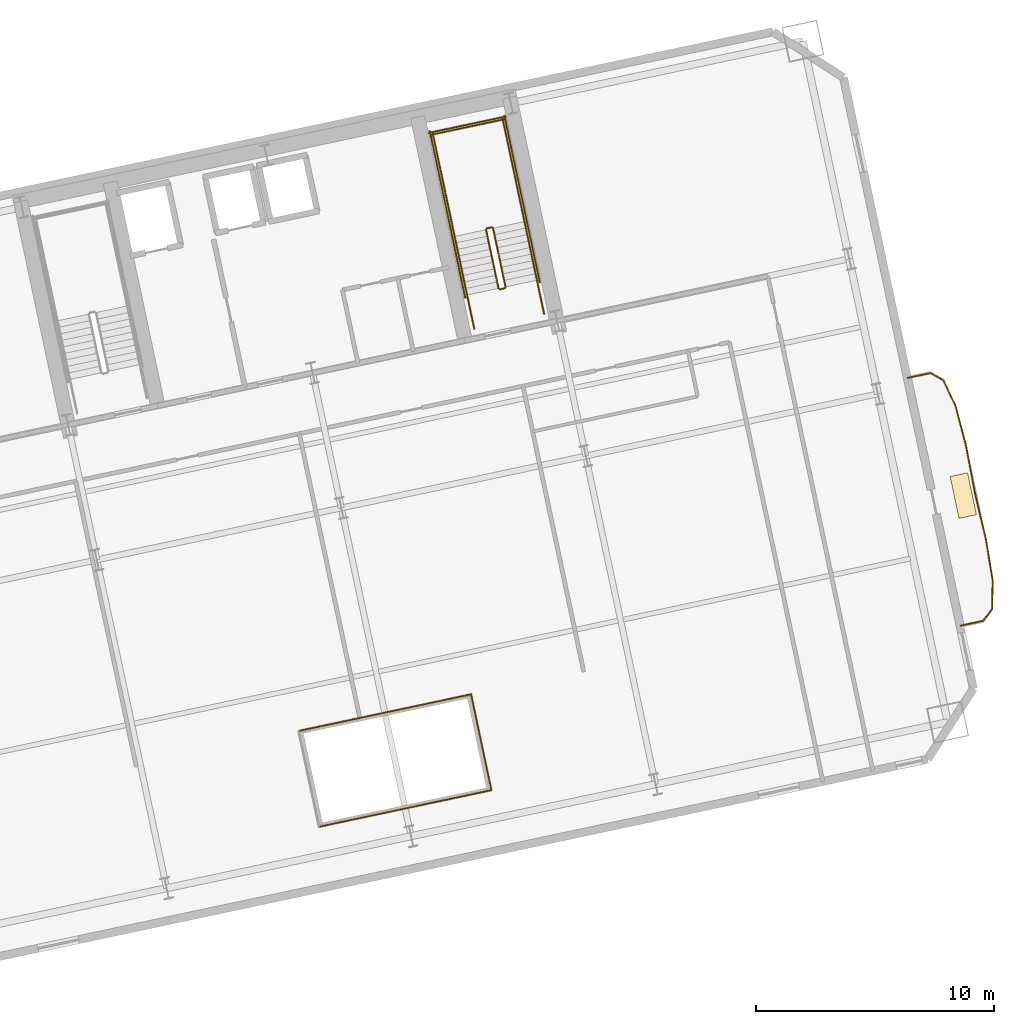
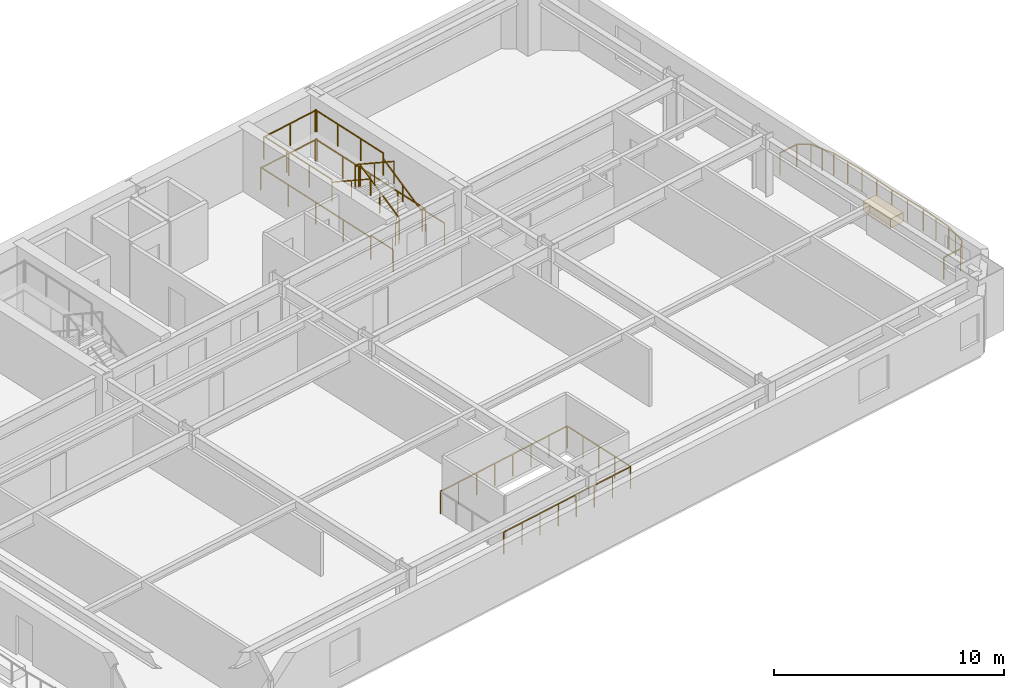
# One storey, part 15 of 15: 27 railings, 1 covering.
"""IFC4 building model written with IfcOpenShell, lengths in metres."""

from ifc_helpers import new_model, si_unit, direction, frame, origin, origin_2d, place, context, subcontext, project, spatial, rectangle, extrude, material, layer, layer_set, type_object, element, save


model = new_model("IFC4")

# Units and contexts
model_context = context("Model", 3, precision=1e-05, world=origin(), true_north=direction((0.0, 1.0)))
body_context = subcontext(model_context, "Body", "Model", "MODEL_VIEW")
ifc_project = project(units=[si_unit("LENGTHUNIT", "METRE"), si_unit("AREAUNIT", "SQUARE_METRE"), si_unit("VOLUMEUNIT", "CUBIC_METRE"), si_unit("PLANEANGLEUNIT", "RADIAN"), si_unit("MASSUNIT", "GRAM", prefix="KILO")], contexts=[model_context])

# Site, building, storey
site_placement = place(None, origin())
site = spatial("IfcSite", under=ifc_project, at=site_placement, CompositionType="ELEMENT")
building_placement = place(site_placement, origin())
building = spatial("IfcBuilding", under=site, at=building_placement, Name="Haevon Station Towers", CompositionType="ELEMENT")
storey_placement = place(building_placement, frame((0.0, 0.0, 63.60009765625)))
storey = spatial("IfcBuildingStorey", under=building, at=storey_placement, Name="L16", CompositionType="ELEMENT", Elevation=63.60009765625)

# Railings
ifc_material_1 = material(Name="Steel S355", Category="steel")
railing_type_1 = type_object("IfcRailingType", Name="BAL-ATR1200", PredefinedType="BALUSTRADE", material=ifc_material_1)
railing_1_placement = place(storey_placement, frame((109.28857421875, 20.5556640625, 0.0)))
element("IfcRailing", 1, at=railing_1_placement, inside=storey, type_object=railing_type_1, Name="L16 Atrium Void Balustrade 1", PredefinedType="BALUSTRADE", context=body_context, shape_type="SweptSolid", body=[
    extrude(rectangle(XDim=0.048095703125, YDim=0.048095703125, at=origin_2d()), frame((0.0, 0.0, 1.17578125), z_axis=(0.978143440909, 0.207931260293, 0.0), x_axis=(-0.207931260293, 0.978143440909, 0.0)), (0.0, 0.0, 1.0), 7.409912109375),
    extrude(rectangle(XDim=0.0419921875, YDim=0.0419921875, at=origin_2d()), origin(), (0.0, 0.0, 1.0), 1.15185546875),
    extrude(rectangle(XDim=0.0419921875, YDim=0.0419921875, at=origin_2d()), frame((1.035400390625, 0.22021484375, 0.0)), (0.0, 0.0, 1.0), 1.15185546875),
    extrude(rectangle(XDim=0.0419921875, YDim=0.0419921875, at=origin_2d()), frame((2.07080078125, 0.440185546875, 0.0)), (0.0, 0.0, 1.0), 1.15185546875),
    extrude(rectangle(XDim=0.0419921875, YDim=0.0419921875, at=origin_2d()), frame((3.106201171875, 0.660400390625, 0.0)), (0.0, 0.0, 1.0), 1.15185546875),
    extrude(rectangle(XDim=0.0419921875, YDim=0.0419921875, at=origin_2d()), frame((4.141845703125, 0.88037109375, 0.0)), (0.0, 0.0, 1.0), 1.15185546875),
    extrude(rectangle(XDim=0.0419921875, YDim=0.0419921875, at=origin_2d()), frame((5.17724609375, 1.1005859375, 0.0)), (0.0, 0.0, 1.0), 1.15185546875),
    extrude(rectangle(XDim=0.0419921875, YDim=0.0419921875, at=origin_2d()), frame((6.212646484375, 1.320556640625, 0.0)), (0.0, 0.0, 1.0), 1.15185546875),
    extrude(rectangle(XDim=0.0419921875, YDim=0.0419921875, at=origin_2d()), frame((7.248046875, 1.540771484375, 0.0)), (0.0, 0.0, 1.0), 1.15185546875),
])
railing_2_placement = place(storey_placement, frame((116.53662109375, 22.096435546875, 0.0)))
element("IfcRailing", 2, at=railing_2_placement, inside=storey, type_object=railing_type_1, Name="L16 Atrium Void Balustrade 2", PredefinedType="BALUSTRADE", context=body_context, shape_type="SweptSolid", body=[
    extrude(rectangle(XDim=0.048095703125, YDim=0.048095703125, at=origin_2d()), frame((0.0, 0.0, 1.17578125), z_axis=(-0.207941039024, 0.97814136212, 0.0), x_axis=(-0.97814136212, -0.207941039024, 0.0)), (0.0, 0.0, 1.0), 4.116455078125),
    extrude(rectangle(XDim=0.0419921875, YDim=0.0419921875, at=origin_2d()), origin(), (0.0, 0.0, 1.0), 1.15185546875),
    extrude(rectangle(XDim=0.0419921875, YDim=0.0419921875, at=origin_2d()), frame((-0.2138671875, 1.006591796875, 0.0)), (0.0, 0.0, 1.0), 1.15185546875),
    extrude(rectangle(XDim=0.0419921875, YDim=0.0419921875, at=origin_2d()), frame((-0.427978515625, 2.01318359375, 0.0)), (0.0, 0.0, 1.0), 1.15185546875),
    extrude(rectangle(XDim=0.0419921875, YDim=0.0419921875, at=origin_2d()), frame((-0.64208984375, 3.019775390625, 0.0)), (0.0, 0.0, 1.0), 1.15185546875),
    extrude(rectangle(XDim=0.0419921875, YDim=0.0419921875, at=origin_2d()), frame((-0.85595703125, 4.0263671875, 0.0)), (0.0, 0.0, 1.0), 1.15185546875),
])
railing_3_placement = place(storey_placement, frame((115.6806640625, 26.122802734375, 0.0)))
element("IfcRailing", 3, at=railing_3_placement, inside=storey, type_object=railing_type_1, Name="L16 Atrium Void Balustrade 3", PredefinedType="BALUSTRADE", context=body_context, shape_type="SweptSolid", body=[
    extrude(rectangle(XDim=0.048095703125, YDim=0.048095703125, at=origin_2d()), frame((0.0, 0.0, 1.17578125), z_axis=(-0.978148717371, -0.207906437384, 0.0), x_axis=(0.207906437384, -0.978148717371, 0.0)), (0.0, 0.0, 1.0), 7.40966796875),
    extrude(rectangle(XDim=0.0419921875, YDim=0.0419921875, at=origin_2d()), origin(), (0.0, 0.0, 1.0), 1.15185546875),
    extrude(rectangle(XDim=0.0419921875, YDim=0.0419921875, at=origin_2d()), frame((-1.035400390625, -0.219970703125, 0.0)), (0.0, 0.0, 1.0), 1.15185546875),
    extrude(rectangle(XDim=0.0419921875, YDim=0.0419921875, at=origin_2d()), frame((-2.07080078125, -0.440185546875, 0.0)), (0.0, 0.0, 1.0), 1.15185546875),
    extrude(rectangle(XDim=0.0419921875, YDim=0.0419921875, at=origin_2d()), frame((-3.106201171875, -0.66015625, 0.0)), (0.0, 0.0, 1.0), 1.15185546875),
    extrude(rectangle(XDim=0.0419921875, YDim=0.0419921875, at=origin_2d()), frame((-4.1416015625, -0.88037109375, 0.0)), (0.0, 0.0, 1.0), 1.15185546875),
    extrude(rectangle(XDim=0.0419921875, YDim=0.0419921875, at=origin_2d()), frame((-5.177001953125, -1.100341796875, 0.0)), (0.0, 0.0, 1.0), 1.15185546875),
    extrude(rectangle(XDim=0.0419921875, YDim=0.0419921875, at=origin_2d()), frame((-6.21240234375, -1.320556640625, 0.0)), (0.0, 0.0, 1.0), 1.15185546875),
    extrude(rectangle(XDim=0.0419921875, YDim=0.0419921875, at=origin_2d()), frame((-7.247802734375, -1.54052734375, 0.0)), (0.0, 0.0, 1.0), 1.15185546875),
])
railing_type_2 = type_object("IfcRailingType", Name="GRD-EXT1200", PredefinedType="GUARDRAIL", material=ifc_material_1)
railing_4_placement = place(storey_placement, frame((136.248779296875, 29.0068359375, 0.0)))
element("IfcRailing", 4, at=railing_4_placement, inside=storey, type_object=railing_type_2, Name="L16 Perimeter Guardrail 1", PredefinedType="GUARDRAIL", context=body_context, shape_type="SweptSolid", body=[
    extrude(rectangle(XDim=0.048095703125, YDim=0.048095703125, at=origin_2d()), frame((0.0, 0.0, 1.17578125), z_axis=(0.977706975704, 0.209973973767, 0.0), x_axis=(-0.209973973767, 0.977706975704, 0.0)), (0.0, 0.0, 1.0), 0.974365234375),
    extrude(rectangle(XDim=0.0419921875, YDim=0.0419921875, at=origin_2d()), origin(), (0.0, 0.0, 1.0), 1.15185546875),
    extrude(rectangle(XDim=0.0419921875, YDim=0.0419921875, at=origin_2d()), frame((0.95263671875, 0.20458984375, 0.0)), (0.0, 0.0, 1.0), 1.15185546875),
])
railing_5_placement = place(storey_placement, frame((137.201416015625, 29.21142578125, 0.0)))
element("IfcRailing", 5, at=railing_5_placement, inside=storey, type_object=railing_type_2, Name="L16 Perimeter Guardrail 2", PredefinedType="GUARDRAIL", context=body_context, shape_type="SweptSolid", body=[
    extrude(rectangle(XDim=0.048095703125, YDim=0.048095703125, at=origin_2d()), frame((0.0, 0.0, 1.17578125), z_axis=(0.597298351772, 0.802019126312, 0.0), x_axis=(-0.802019126312, 0.597298351772, 0.0)), (0.0, 0.0, 1.0), 0.62255859375),
    extrude(rectangle(XDim=0.0419921875, YDim=0.0419921875, at=origin_2d()), origin(), (0.0, 0.0, 1.0), 1.15185546875),
    extrude(rectangle(XDim=0.0419921875, YDim=0.0419921875, at=origin_2d()), frame((0.371826171875, 0.499267578125, 0.0)), (0.0, 0.0, 1.0), 1.15185546875),
])
railing_6_placement = place(storey_placement, frame((137.5732421875, 29.710693359375, 0.0)))
element("IfcRailing", 6, at=railing_6_placement, inside=storey, type_object=railing_type_2, Name="L16 Perimeter Guardrail 3", PredefinedType="GUARDRAIL", context=body_context, shape_type="SweptSolid", body=[
    extrude(rectangle(XDim=0.048095703125, YDim=0.048095703125, at=origin_2d()), frame((0.0, 0.0, 1.17578125), z_axis=(0.019910703659, 0.999801762291, 0.0), x_axis=(-0.999801762291, 0.019910703659, 0.0)), (0.0, 0.0, 1.0), 1.20166015625),
    extrude(rectangle(XDim=0.0419921875, YDim=0.0419921875, at=origin_2d()), origin(), (0.0, 0.0, 1.0), 1.15185546875),
    extrude(rectangle(XDim=0.0419921875, YDim=0.0419921875, at=origin_2d()), frame((0.011962890625, 0.6005859375, 0.0)), (0.0, 0.0, 1.0), 1.15185546875),
    extrude(rectangle(XDim=0.0419921875, YDim=0.0419921875, at=origin_2d()), frame((0.02392578125, 1.201416015625, 0.0)), (0.0, 0.0, 1.0), 1.15185546875),
])
railing_7_placement = place(storey_placement, frame((137.59716796875, 30.912109375, 0.0)))
element("IfcRailing", 7, at=railing_7_placement, inside=storey, type_object=railing_type_2, Name="L16 Perimeter Guardrail 4", PredefinedType="GUARDRAIL", context=body_context, shape_type="SweptSolid", body=[
    extrude(rectangle(XDim=0.048095703125, YDim=0.048095703125, at=origin_2d()), frame((0.0, 0.0, 1.17578125), z_axis=(-0.162251221579, 0.98674948244, 0.0), x_axis=(-0.98674948244, -0.162251221579, 0.0)), (0.0, 0.0, 1.0), 1.75146484375),
    extrude(rectangle(XDim=0.0419921875, YDim=0.0419921875, at=origin_2d()), origin(), (0.0, 0.0, 1.0), 1.15185546875),
    extrude(rectangle(XDim=0.0419921875, YDim=0.0419921875, at=origin_2d()), frame((-0.14208984375, 0.8642578125, 0.0)), (0.0, 0.0, 1.0), 1.15185546875),
    extrude(rectangle(XDim=0.0419921875, YDim=0.0419921875, at=origin_2d()), frame((-0.2841796875, 1.728271484375, 0.0)), (0.0, 0.0, 1.0), 1.15185546875),
])
railing_8_placement = place(storey_placement, frame((137.31298828125, 32.640380859375, 0.0)))
element("IfcRailing", 8, at=railing_8_placement, inside=storey, type_object=railing_type_2, Name="L16 Perimeter Guardrail 5", PredefinedType="GUARDRAIL", context=body_context, shape_type="SweptSolid", body=[
    extrude(rectangle(XDim=0.048095703125, YDim=0.048095703125, at=origin_2d()), frame((0.0, 0.0, 1.17578125), z_axis=(-0.231637114003, 0.972802265322, 0.0), x_axis=(-0.972802265322, -0.231637114003, 0.0)), (0.0, 0.0, 1.0), 1.989990234375),
    extrude(rectangle(XDim=0.0419921875, YDim=0.0419921875, at=origin_2d()), origin(), (0.0, 0.0, 1.0), 1.15185546875),
    extrude(rectangle(XDim=0.0419921875, YDim=0.0419921875, at=origin_2d()), frame((-0.23046875, 0.9677734375, 0.0)), (0.0, 0.0, 1.0), 1.15185546875),
    extrude(rectangle(XDim=0.0419921875, YDim=0.0419921875, at=origin_2d()), frame((-0.4609375, 1.935791015625, 0.0)), (0.0, 0.0, 1.0), 1.15185546875),
])
railing_9_placement = place(storey_placement, frame((136.85205078125, 34.576171875, 0.0)))
element("IfcRailing", 9, at=railing_9_placement, inside=storey, type_object=railing_type_2, Name="L16 Perimeter Guardrail 6", PredefinedType="GUARDRAIL", context=body_context, shape_type="SweptSolid", body=[
    extrude(rectangle(XDim=0.048095703125, YDim=0.048095703125, at=origin_2d()), frame((0.0, 0.0, 1.17578125), z_axis=(-0.184162599312, 0.982895791534, 0.0), x_axis=(-0.982895791534, -0.184162599312, 0.0)), (0.0, 0.0, 1.0), 1.98974609375),
    extrude(rectangle(XDim=0.0419921875, YDim=0.0419921875, at=origin_2d()), origin(), (0.0, 0.0, 1.0), 1.15185546875),
    extrude(rectangle(XDim=0.0419921875, YDim=0.0419921875, at=origin_2d()), frame((-0.18310546875, 0.97802734375, 0.0)), (0.0, 0.0, 1.0), 1.15185546875),
    extrude(rectangle(XDim=0.0419921875, YDim=0.0419921875, at=origin_2d()), frame((-0.366455078125, 1.955810546875, 0.0)), (0.0, 0.0, 1.0), 1.15185546875),
])
railing_10_placement = place(storey_placement, frame((136.485595703125, 36.531982421875, 0.0)))
element("IfcRailing", 10, at=railing_10_placement, inside=storey, type_object=railing_type_2, Name="L16 Perimeter Guardrail 7", PredefinedType="GUARDRAIL", context=body_context, shape_type="SweptSolid", body=[
    extrude(rectangle(XDim=0.048095703125, YDim=0.048095703125, at=origin_2d()), frame((0.0, 0.0, 1.17578125), z_axis=(-0.252983588082, 0.967470570178, 0.0), x_axis=(-0.967470570178, -0.252983588082, 0.0)), (0.0, 0.0, 1.0), 1.75146484375),
    extrude(rectangle(XDim=0.0419921875, YDim=0.0419921875, at=origin_2d()), origin(), (0.0, 0.0, 1.0), 1.15185546875),
    extrude(rectangle(XDim=0.0419921875, YDim=0.0419921875, at=origin_2d()), frame((-0.2216796875, 0.84716796875, 0.0)), (0.0, 0.0, 1.0), 1.15185546875),
    extrude(rectangle(XDim=0.0419921875, YDim=0.0419921875, at=origin_2d()), frame((-0.443115234375, 1.694580078125, 0.0)), (0.0, 0.0, 1.0), 1.15185546875),
])
railing_11_placement = place(storey_placement, frame((136.04248046875, 38.2265625, 0.0)))
element("IfcRailing", 11, at=railing_11_placement, inside=storey, type_object=railing_type_2, Name="L16 Perimeter Guardrail 8", PredefinedType="GUARDRAIL", context=body_context, shape_type="SweptSolid", body=[
    extrude(rectangle(XDim=0.048095703125, YDim=0.048095703125, at=origin_2d()), frame((0.0, 0.0, 1.17578125), z_axis=(-0.424886747768, 0.905246514255, 0.0), x_axis=(-0.905246514255, -0.424886747768, 0.0)), (0.0, 0.0, 1.0), 1.201416015625),
    extrude(rectangle(XDim=0.0419921875, YDim=0.0419921875, at=origin_2d()), origin(), (0.0, 0.0, 1.0), 1.15185546875),
    extrude(rectangle(XDim=0.0419921875, YDim=0.0419921875, at=origin_2d()), frame((-0.25537109375, 0.5439453125, 0.0)), (0.0, 0.0, 1.0), 1.15185546875),
    extrude(rectangle(XDim=0.0419921875, YDim=0.0419921875, at=origin_2d()), frame((-0.510498046875, 1.087646484375, 0.0)), (0.0, 0.0, 1.0), 1.15185546875),
])
railing_12_placement = place(storey_placement, frame((135.531982421875, 39.314208984375, 0.0)))
element("IfcRailing", 12, at=railing_12_placement, inside=storey, type_object=railing_type_2, Name="L16 Perimeter Guardrail 9", PredefinedType="GUARDRAIL", context=body_context, shape_type="SweptSolid", body=[
    extrude(rectangle(XDim=0.048095703125, YDim=0.048095703125, at=origin_2d()), frame((0.0, 0.0, 1.17578125), z_axis=(-0.871816325909, 0.489832924454, 0.0), x_axis=(-0.489832924454, -0.871816325909, 0.0)), (0.0, 0.0, 1.0), 0.62255859375),
    extrude(rectangle(XDim=0.0419921875, YDim=0.0419921875, at=origin_2d()), origin(), (0.0, 0.0, 1.0), 1.15185546875),
    extrude(rectangle(XDim=0.0419921875, YDim=0.0419921875, at=origin_2d()), frame((-0.542724609375, 0.304931640625, 0.0)), (0.0, 0.0, 1.0), 1.15185546875),
])
railing_13_placement = place(storey_placement, frame((134.9892578125, 39.619140625, 0.0)))
element("IfcRailing", 13, at=railing_13_placement, inside=storey, type_object=railing_type_2, Name="L16 Perimeter Guardrail 10", PredefinedType="GUARDRAIL", context=body_context, shape_type="SweptSolid", body=[
    extrude(rectangle(XDim=0.048095703125, YDim=0.048095703125, at=origin_2d()), frame((0.0, 0.0, 1.17578125), z_axis=(-0.978565730841, -0.205934723695, 0.0), x_axis=(0.205934723695, -0.978565730841, 0.0)), (0.0, 0.0, 1.0), 0.974609375),
    extrude(rectangle(XDim=0.0419921875, YDim=0.0419921875, at=origin_2d()), origin(), (0.0, 0.0, 1.0), 1.15185546875),
    extrude(rectangle(XDim=0.0419921875, YDim=0.0419921875, at=origin_2d()), frame((-0.95361328125, -0.20068359375, 0.0)), (0.0, 0.0, 1.0), 1.15185546875),
])
railing_type_3 = type_object("IfcRailingType", Name="GRD-STR1200", PredefinedType="GUARDRAIL", material=ifc_material_1)
railing_14_placement = place(storey_placement, frame((117.128662109375, 43.23974609375, 0.164794921875)))
element("IfcRailing", 14, at=railing_14_placement, inside=storey, type_object=railing_type_3, Name="L16 ST4 Stair Guard 1", PredefinedType="GUARDRAIL", context=body_context, shape_type="SweptSolid", body=[
    extrude(rectangle(XDim=0.048095703125, YDim=0.048095703125, at=origin_2d()), frame((0.0, 0.0, 1.17578125), z_axis=(-0.179121265225, 0.842687928106, 0.507732831485), x_axis=(-0.978147030254, -0.207914374695, 0.0)), (0.0, 0.0, 1.0), 2.925048828125),
    extrude(rectangle(XDim=0.0419921875, YDim=0.0419921875, at=origin_2d()), origin(), (0.0, 0.0, 1.0), 1.15185546875),
    extrude(rectangle(XDim=0.0419921875, YDim=0.0419921875, at=origin_2d()), frame((-0.261962890625, 1.232421875, 0.74267578125)), (0.0, 0.0, 1.0), 1.15185546875),
    extrude(rectangle(XDim=0.0419921875, YDim=0.0419921875, at=origin_2d()), frame((-0.52392578125, 2.46484375, 1.485107421875)), (0.0, 0.0, 1.0), 1.15185546875),
])
railing_15_placement = place(storey_placement, frame((116.54541015625, 45.7431640625, 1.64990234375)))
element("IfcRailing", 15, at=railing_15_placement, inside=storey, type_object=railing_type_3, Name="L16 ST4 Stair Guard 2", PredefinedType="GUARDRAIL", context=body_context, shape_type="SweptSolid", body=[
    extrude(rectangle(XDim=0.048095703125, YDim=0.048095703125, at=origin_2d()), frame((0.0, 0.0, 1.17578125), z_axis=(-0.97826412705, -0.207362720198, 0.0), x_axis=(0.207362720198, -0.97826412705, 0.0)), (0.0, 0.0, 1.0), 0.2001953125),
    extrude(rectangle(XDim=0.0419921875, YDim=0.0419921875, at=origin_2d()), origin(), (0.0, 0.0, 1.0), 1.15185546875),
    extrude(rectangle(XDim=0.0419921875, YDim=0.0419921875, at=origin_2d()), frame((-0.19580078125, -0.04150390625, 0.0)), (0.0, 0.0, 1.0), 1.15185546875),
])
railing_16_placement = place(storey_placement, frame((117.925048828125, 45.9853515625, 1.64990234375)))
element("IfcRailing", 16, at=railing_16_placement, inside=storey, type_object=railing_type_3, Name="L16 ST4 Stair Guard 3", PredefinedType="GUARDRAIL", context=body_context, shape_type="SweptSolid", body=[
    extrude(rectangle(XDim=0.048095703125, YDim=0.048095703125, at=origin_2d()), frame((0.0, 0.0, 1.17578125), z_axis=(-0.207876551949, 0.978155069071, 0.0), x_axis=(-0.978155069071, -0.207876551949, 0.0)), (0.0, 0.0, 1.0), 4.429931640625),
    extrude(rectangle(XDim=0.0419921875, YDim=0.0419921875, at=origin_2d()), origin(), (0.0, 0.0, 1.0), 1.15185546875),
    extrude(rectangle(XDim=0.0419921875, YDim=0.0419921875, at=origin_2d()), frame((-0.306884765625, 1.4443359375, 0.0)), (0.0, 0.0, 1.0), 1.15185546875),
    extrude(rectangle(XDim=0.0419921875, YDim=0.0419921875, at=origin_2d()), frame((-0.614013671875, 2.888916015625, 0.0)), (0.0, 0.0, 1.0), 1.15185546875),
    extrude(rectangle(XDim=0.0419921875, YDim=0.0419921875, at=origin_2d()), frame((-0.9208984375, 4.333251953125, 0.0)), (0.0, 0.0, 1.0), 1.15185546875),
])
railing_17_placement = place(storey_placement, frame((114.99072265625, 45.361572265625, 1.64990234375)))
element("IfcRailing", 17, at=railing_17_placement, inside=storey, type_object=railing_type_3, Name="L16 ST4 Stair Guard 4", PredefinedType="GUARDRAIL", context=body_context, shape_type="SweptSolid", body=[
    extrude(rectangle(XDim=0.048095703125, YDim=0.048095703125, at=origin_2d()), frame((0.0, 0.0, 1.17578125), z_axis=(-0.207929280007, 0.978143861871, 0.0), x_axis=(-0.978143861871, -0.207929280007, 0.0)), (0.0, 0.0, 1.0), 4.43017578125),
    extrude(rectangle(XDim=0.0419921875, YDim=0.0419921875, at=origin_2d()), origin(), (0.0, 0.0, 1.0), 1.15185546875),
    extrude(rectangle(XDim=0.0419921875, YDim=0.0419921875, at=origin_2d()), frame((-0.30712890625, 1.4443359375, 0.0)), (0.0, 0.0, 1.0), 1.15185546875),
    extrude(rectangle(XDim=0.0419921875, YDim=0.0419921875, at=origin_2d()), frame((-0.614013671875, 2.888916015625, 0.0)), (0.0, 0.0, 1.0), 1.15185546875),
    extrude(rectangle(XDim=0.0419921875, YDim=0.0419921875, at=origin_2d()), frame((-0.921142578125, 4.333251953125, 0.0)), (0.0, 0.0, 1.0), 1.15185546875),
])
railing_18_placement = place(storey_placement, frame((117.0634765625, 50.280029296875, 1.64990234375)))
element("IfcRailing", 18, at=railing_18_placement, inside=storey, type_object=railing_type_3, Name="L16 ST4 Stair Guard 5", PredefinedType="GUARDRAIL", context=body_context, shape_type="SweptSolid", body=[
    extrude(rectangle(XDim=0.048095703125, YDim=0.048095703125, at=origin_2d()), frame((0.0, 0.0, 1.17578125), z_axis=(-0.978146839882, -0.207915270313, 0.0), x_axis=(0.207915270313, -0.978146839882, 0.0)), (0.0, 0.0, 1.0), 3.099853515625),
    extrude(rectangle(XDim=0.0419921875, YDim=0.0419921875, at=origin_2d()), origin(), (0.0, 0.0, 1.0), 1.15185546875),
    extrude(rectangle(XDim=0.0419921875, YDim=0.0419921875, at=origin_2d()), frame((-1.51611328125, -0.322265625, 0.0)), (0.0, 0.0, 1.0), 1.15185546875),
    extrude(rectangle(XDim=0.0419921875, YDim=0.0419921875, at=origin_2d()), frame((-3.0322265625, -0.64453125, 0.0)), (0.0, 0.0, 1.0), 1.15185546875),
])
railing_19_placement = place(storey_placement, frame((116.311279296875, 45.642333984375, 1.81494140625)))
element("IfcRailing", 19, at=railing_19_placement, inside=storey, type_object=railing_type_3, Name="L16 ST4 Stair Guard 6", PredefinedType="GUARDRAIL", context=body_context, shape_type="SweptSolid", body=[
    extrude(rectangle(XDim=0.048095703125, YDim=0.048095703125, at=origin_2d()), frame((0.0, 0.0, 1.17578125), z_axis=(0.179116256339, -0.842747828638, 0.507635168246), x_axis=(0.978151217824, 0.207894673017, 0.0)), (0.0, 0.0, 1.0), 2.925048828125),
    extrude(rectangle(XDim=0.0419921875, YDim=0.0419921875, at=origin_2d()), origin(), (0.0, 0.0, 1.0), 1.15185546875),
    extrude(rectangle(XDim=0.0419921875, YDim=0.0419921875, at=origin_2d()), frame((0.261962890625, -1.232421875, 0.742431640625)), (0.0, 0.0, 1.0), 1.15185546875),
    extrude(rectangle(XDim=0.0419921875, YDim=0.0419921875, at=origin_2d()), frame((0.52392578125, -2.465087890625, 1.48486328125)), (0.0, 0.0, 1.0), 1.15185546875),
])
railing_20_placement = place(storey_placement, frame((117.090087890625, 43.180419921875, 0.0)))
element("IfcRailing", 20, at=railing_20_placement, inside=storey, type_object=railing_type_3, Name="L16 ST4 Stair Guard 7", PredefinedType="GUARDRAIL", context=body_context, shape_type="SweptSolid", body=[
    extrude(rectangle(XDim=0.048095703125, YDim=0.048095703125, at=origin_2d()), frame((0.0, 0.0, 1.17578125), z_axis=(-0.978211583308, -0.207610448392, 0.0), x_axis=(0.207610448392, -0.978211583308, 0.0)), (0.0, 0.0, 1.0), 0.199951171875),
    extrude(rectangle(XDim=0.0419921875, YDim=0.0419921875, at=origin_2d()), origin(), (0.0, 0.0, 1.0), 1.15185546875),
    extrude(rectangle(XDim=0.0419921875, YDim=0.0419921875, at=origin_2d()), frame((-0.195556640625, -0.04150390625, 0.0)), (0.0, 0.0, 1.0), 1.15185546875),
])
for number, where, name in (
    (21, (118.75048828125, 42.10205078125, 0.0), "L16 ST4 Stair Guard 8"),
    (22, (115.816162109375, 41.478271484375, 0.0), "L16 ST4 Stair Guard 9"),
):
    element("IfcRailing", number, at=place(storey_placement, frame(where)), inside=storey, type_object=railing_type_3, Name=name, PredefinedType="GUARDRAIL", context=body_context, shape_type="SweptSolid", body=[
        extrude(rectangle(XDim=0.048095703125, YDim=0.048095703125, at=origin_2d()), frame((0.0, 0.0, 1.17578125), z_axis=(-0.207919161079, 0.978146012851, 0.0), x_axis=(-0.978146012851, -0.207919161079, 0.0)), (0.0, 0.0, 1.0), 1.4501953125),
        extrude(rectangle(XDim=0.0419921875, YDim=0.0419921875, at=origin_2d()), origin(), (0.0, 0.0, 1.0), 1.15185546875),
        extrude(rectangle(XDim=0.0419921875, YDim=0.0419921875, at=origin_2d()), frame((-0.301513671875, 1.41845703125, 0.0)), (0.0, 0.0, 1.0), 1.15185546875),
    ])
railing_21_placement = place(storey_placement, frame((118.567626953125, 43.443359375, 0.0)))
element("IfcRailing", 23, at=railing_21_placement, inside=storey, type_object=railing_type_3, Name="L16 ST4 Stair Guard 10", PredefinedType="GUARDRAIL", context=body_context, shape_type="SweptSolid", body=[
    extrude(rectangle(XDim=0.048095703125, YDim=0.048095703125, at=origin_2d()), frame((0.0, 0.0, 1.17578125), z_axis=(-0.207908168386, 0.978148349443, 0.0), x_axis=(-0.978148349443, -0.207908168386, 0.0)), (0.0, 0.0, 1.0), 7.150146484375),
    extrude(rectangle(XDim=0.0419921875, YDim=0.0419921875, at=origin_2d()), origin(), (0.0, 0.0, 1.0), 1.15185546875),
    extrude(rectangle(XDim=0.0419921875, YDim=0.0419921875, at=origin_2d()), frame((-0.37158203125, 1.74853515625, 0.0)), (0.0, 0.0, 1.0), 1.15185546875),
    extrude(rectangle(XDim=0.0419921875, YDim=0.0419921875, at=origin_2d()), frame((-0.7431640625, 3.4970703125, 0.0)), (0.0, 0.0, 1.0), 1.15185546875),
    extrude(rectangle(XDim=0.0419921875, YDim=0.0419921875, at=origin_2d()), frame((-1.114990234375, 5.245361328125, 0.0)), (0.0, 0.0, 1.0), 1.15185546875),
    extrude(rectangle(XDim=0.0419921875, YDim=0.0419921875, at=origin_2d()), frame((-1.486572265625, 6.993896484375, 0.0)), (0.0, 0.0, 1.0), 1.15185546875),
])
railing_22_placement = place(storey_placement, frame((115.4375, 42.778076171875, 0.0)))
element("IfcRailing", 24, at=railing_22_placement, inside=storey, type_object=railing_type_3, Name="L16 ST4 Stair Guard 11", PredefinedType="GUARDRAIL", context=body_context, shape_type="SweptSolid", body=[
    extrude(rectangle(XDim=0.048095703125, YDim=0.048095703125, at=origin_2d()), frame((0.0, 0.0, 1.17578125), z_axis=(-0.207882442208, 0.978153817261, 0.0), x_axis=(-0.978153817261, -0.207882442208, 0.0)), (0.0, 0.0, 1.0), 7.14990234375),
    extrude(rectangle(XDim=0.0419921875, YDim=0.0419921875, at=origin_2d()), origin(), (0.0, 0.0, 1.0), 1.15185546875),
    extrude(rectangle(XDim=0.0419921875, YDim=0.0419921875, at=origin_2d()), frame((-0.37158203125, 1.74853515625, 0.0)), (0.0, 0.0, 1.0), 1.15185546875),
    extrude(rectangle(XDim=0.0419921875, YDim=0.0419921875, at=origin_2d()), frame((-0.7431640625, 3.496826171875, 0.0)), (0.0, 0.0, 1.0), 1.15185546875),
    extrude(rectangle(XDim=0.0419921875, YDim=0.0419921875, at=origin_2d()), frame((-1.11474609375, 5.2451171875, 0.0)), (0.0, 0.0, 1.0), 1.15185546875),
    extrude(rectangle(XDim=0.0419921875, YDim=0.0419921875, at=origin_2d()), frame((-1.486328125, 6.99365234375, 0.0)), (0.0, 0.0, 1.0), 1.15185546875),
])
railing_23_placement = place(storey_placement, frame((117.140380859375, 50.398681640625, 0.0)))
element("IfcRailing", 25, at=railing_23_placement, inside=storey, type_object=railing_type_3, Name="L16 ST4 Stair Guard 12", PredefinedType="GUARDRAIL", context=body_context, shape_type="SweptSolid", body=[
    extrude(rectangle(XDim=0.048095703125, YDim=0.048095703125, at=origin_2d()), frame((0.0, 0.0, 1.17578125), z_axis=(-0.978135717418, -0.207967589567, 0.0), x_axis=(0.207967589567, -0.978135717418, 0.0)), (0.0, 0.0, 1.0), 3.300048828125),
    extrude(rectangle(XDim=0.0419921875, YDim=0.0419921875, at=origin_2d()), origin(), (0.0, 0.0, 1.0), 1.15185546875),
    extrude(rectangle(XDim=0.0419921875, YDim=0.0419921875, at=origin_2d()), frame((-1.61376953125, -0.34326171875, 0.0)), (0.0, 0.0, 1.0), 1.15185546875),
    extrude(rectangle(XDim=0.0419921875, YDim=0.0419921875, at=origin_2d()), frame((-3.227783203125, -0.686279296875, 0.0)), (0.0, 0.0, 1.0), 1.15185546875),
])
railing_type_4 = type_object("IfcRailingType", Name="HND-STR900", PredefinedType="HANDRAIL", material=ifc_material_1)
railing_24_placement = place(storey_placement, frame((118.448974609375, 43.5205078125, 0.164794921875)))
element("IfcRailing", 26, at=railing_24_placement, inside=storey, type_object=railing_type_4, Name="L16 ST4 Stair Handrail 1", PredefinedType="HANDRAIL", context=body_context, shape_type="SweptSolid", body=[
    extrude(rectangle(XDim=0.048095703125, YDim=0.048095703125, at=origin_2d()), frame((0.0, 0.0, 0.8759765625), z_axis=(-0.179121265225, 0.842687928106, 0.507732831485), x_axis=(-0.978147030254, -0.207914374695, 0.0)), (0.0, 0.0, 1.0), 2.925048828125),
    extrude(rectangle(XDim=0.0419921875, YDim=0.0419921875, at=origin_2d()), origin(), (0.0, 0.0, 1.0), 0.851806640625),
    extrude(rectangle(XDim=0.0419921875, YDim=0.0419921875, at=origin_2d()), frame((-0.261962890625, 1.232421875, 0.74267578125)), (0.0, 0.0, 1.0), 0.851806640625),
    extrude(rectangle(XDim=0.0419921875, YDim=0.0419921875, at=origin_2d()), frame((-0.52392578125, 2.46484375, 1.485107421875)), (0.0, 0.0, 1.0), 0.851806640625),
])
railing_25_placement = place(storey_placement, frame((114.99072265625, 45.361572265625, 1.81494140625)))
element("IfcRailing", 27, at=railing_25_placement, inside=storey, type_object=railing_type_4, Name="L16 ST4 Stair Handrail 2", PredefinedType="HANDRAIL", context=body_context, shape_type="SweptSolid", body=[
    extrude(rectangle(XDim=0.048095703125, YDim=0.048095703125, at=origin_2d()), frame((0.0, 0.0, 0.8759765625), z_axis=(0.179128856099, -0.842723639875, 0.507670877349), x_axis=(0.978147030254, 0.207914374695, 0.0)), (0.0, 0.0, 1.0), 2.9248046875),
    extrude(rectangle(XDim=0.0419921875, YDim=0.0419921875, at=origin_2d()), origin(), (0.0, 0.0, 1.0), 0.851806640625),
    extrude(rectangle(XDim=0.0419921875, YDim=0.0419921875, at=origin_2d()), frame((0.261962890625, -1.232421875, 0.742431640625)), (0.0, 0.0, 1.0), 0.851806640625),
    extrude(rectangle(XDim=0.0419921875, YDim=0.0419921875, at=origin_2d()), frame((0.52392578125, -2.46484375, 1.48486328125)), (0.0, 0.0, 1.0), 0.851806640625),
])

# Covering
ifc_material_2 = material(Name="Architectural planter GRC", Category="concrete")
ifc_layer = layer(ifc_material_2, 0.550048828125)
ifc_layer_set = layer_set([ifc_layer], Name="Architectural planter GRC")
covering_type = type_object("IfcCoveringType", Name="PLN-GRC550", PredefinedType="MOLDING", material=ifc_layer_set)
covering_placement = place(storey_placement, frame((136.361083984375, 34.471923828125, 0.0), z_axis=(0.0, 0.0, 1.0), x_axis=(0.978147600734, 0.207911690818, 0.0)))
element("IfcCovering", 28, at=covering_placement, inside=storey, type_object=covering_type, Name="Tower 2 L16 Scalloped Balcony PLANTER", PredefinedType="MOLDING", context=body_context, shape_type="SweptSolid", body=[
    extrude(rectangle(XDim=0.75, YDim=1.800048828125, at=origin_2d()), origin(), (0.0, 0.0, 1.0), 0.5),
])

save(model, "model.ifc")
